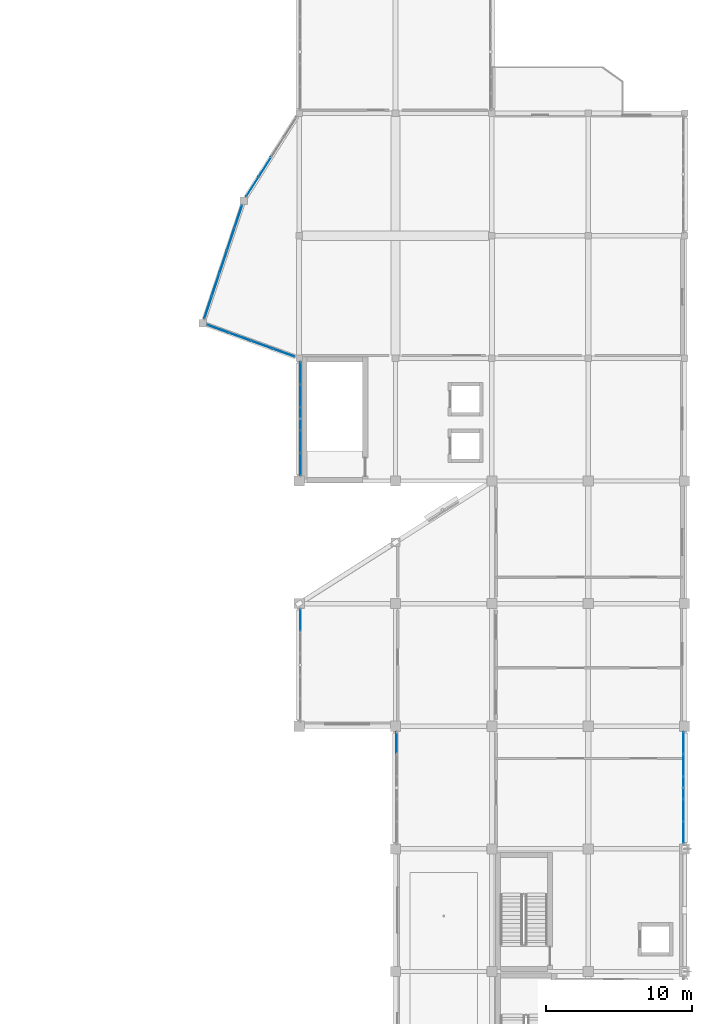
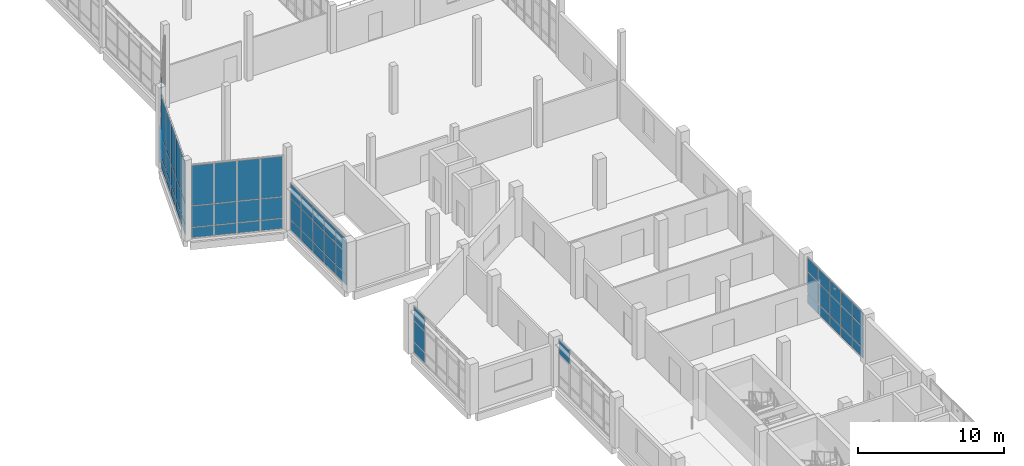
# One storey, part 51 of 78: 65 plates, 7 elements without a shape of their own.
"""IFC4 building model written with IfcOpenShell, lengths in metres."""

from ifc_helpers import new_model, si_unit, direction, frame, origin, origin_2d, place, context, subcontext, project, spatial, rectangle, extrude, material, layer, layer_set, type_object, element, aggregate, save


model = new_model("IFC4")

# Units and contexts
model_context = context("Model", 3, precision=1e-05, world=origin(), true_north=direction((0.0, 1.0)))
body_context = subcontext(model_context, "Body", "Model", "MODEL_VIEW")
ifc_project = project(units=[si_unit("LENGTHUNIT", "METRE"), si_unit("AREAUNIT", "SQUARE_METRE"), si_unit("VOLUMEUNIT", "CUBIC_METRE"), si_unit("PLANEANGLEUNIT", "RADIAN"), si_unit("MASSUNIT", "GRAM", prefix="KILO")], contexts=[model_context])

# Site, building, storey
site_placement = place(None, origin())
site = spatial("IfcSite", under=ifc_project, at=site_placement, CompositionType="ELEMENT")
building_placement = place(site_placement, origin())
building = spatial("IfcBuilding", under=site, at=building_placement, Name="Qaldarim Faculty of Natural and Applied Sciences", CompositionType="ELEMENT")
storey_placement = place(building_placement, frame((0.0, 0.0, 18.60009765625)))
storey = spatial("IfcBuildingStorey", under=building, at=storey_placement, Name="L04", CompositionType="ELEMENT", Elevation=18.60009765625)

# Curtain wall, plates
ifc_material_1 = material(Name="Anodised aluminium AW-6063", Category="aluminium")
curtain_wall_type_1 = type_object("IfcCurtainWallType", Name="CurtainWallSystem-M1700", PredefinedType="USERDEFINED", material=ifc_material_1)
curtain_wall_1_placement = place(storey_placement, origin())
curtain_wall_1 = element("IfcCurtainWall", 1, at=curtain_wall_1_placement, inside=storey, type_object=curtain_wall_type_1, Name="Curtain wall CW-L04-W-X24Y06", ObjectType="UNITISED FACADE", PredefinedType="USERDEFINED")
ifc_material_2 = material(Name="Insulated low-e double glazing", Category="glass")
ifc_layer_1 = layer(ifc_material_2, 0.031982421875)
ifc_layer_set_1 = layer_set([ifc_layer_1], Name="Insulated low-e double glazing")
plate_type_1 = type_object("IfcPlateType", Name="SolarControlGlazingPanel-32", PredefinedType="CURTAIN_PANEL", material=ifc_layer_set_1)
plate_1_placement = place(storey_placement, frame((151.8798828125, 49.2666015625, 0.06982421875), z_axis=(0.0, 0.0, 1.0), x_axis=(0.0, -1.0, 0.0)))
plate_1 = element("IfcPlate", 2, at=plate_1_placement, type_object=plate_type_1, Name="Glazed panel 1-1 of CW-L04-W-X24Y06", PredefinedType="CURTAIN_PANEL", context=body_context, shape_type="SweptSolid", body=[
    extrude(rectangle(XDim=1.43701171875, YDim=0.031982421875, at=origin_2d()), origin(), (0.0, 0.0, 1.0), 0.794921875),
])
plate_2_placement = place(storey_placement, frame((151.8798828125, 49.2666015625, 0.934814453125), z_axis=(0.0, 0.0, 1.0), x_axis=(0.0, -1.0, 0.0)))
plate_2 = element("IfcPlate", 3, at=plate_2_placement, type_object=plate_type_1, Name="Glazed panel 1-2 of CW-L04-W-X24Y06", PredefinedType="CURTAIN_PANEL", context=body_context, shape_type="SweptSolid", body=[
    extrude(rectangle(XDim=1.43701171875, YDim=0.031982421875, at=origin_2d()), origin(), (0.0, 0.0, 1.0), 1.72998046875),
])
plate_3_placement = place(storey_placement, frame((151.8798828125, 49.2666015625, 2.73486328125), z_axis=(0.0, 0.0, 1.0), x_axis=(0.0, -1.0, 0.0)))
plate_3 = element("IfcPlate", 4, at=plate_3_placement, type_object=plate_type_1, Name="Glazed panel 1-3 of CW-L04-W-X24Y06", PredefinedType="CURTAIN_PANEL", context=body_context, shape_type="SweptSolid", body=[
    extrude(rectangle(XDim=1.43701171875, YDim=0.031982421875, at=origin_2d()), origin(), (0.0, 0.0, 1.0), 1.135009765625),
])
aggregate(curtain_wall_1, [plate_1, plate_2, plate_3])

# Curtain wall, plate
curtain_wall_2_placement = place(storey_placement, origin())
curtain_wall_2 = element("IfcCurtainWall", 5, at=curtain_wall_2_placement, inside=storey, type_object=curtain_wall_type_1, Name="Curtain wall CW-L04-W-X25Y05", ObjectType="UNITISED FACADE", PredefinedType="USERDEFINED")
plate_4_placement = place(storey_placement, frame((158.47998046875, 40.866455078125, 2.73486328125), z_axis=(0.0, 0.0, 1.0), x_axis=(0.0, -1.0, 0.0)))
plate_4 = element("IfcPlate", 6, at=plate_4_placement, type_object=plate_type_1, Name="Glazed panel 1-3 of CW-L04-W-X25Y05", PredefinedType="CURTAIN_PANEL", context=body_context, shape_type="SweptSolid", body=[
    extrude(rectangle(XDim=1.43701171875, YDim=0.031982421875, at=origin_2d()), origin(), (0.0, 0.0, 1.0), 1.135009765625),
])
aggregate(curtain_wall_2, [plate_4])

# Curtain wall, plates
curtain_wall_3_placement = place(storey_placement, origin())
curtain_wall_3 = element("IfcCurtainWall", 7, at=curtain_wall_3_placement, inside=storey, type_object=curtain_wall_type_1, Name="Curtain wall CW-L04-E-X27Y05", ObjectType="UNITISED FACADE", PredefinedType="USERDEFINED")
plate_5_placement = place(storey_placement, frame((178.1201171875, 34.7333984375, 0.06982421875), z_axis=(0.0, 0.0, 1.0), x_axis=(0.0, 1.0, 0.0)))
plate_5 = element("IfcPlate", 8, at=plate_5_placement, type_object=plate_type_1, Name="Glazed panel 1-1 of CW-L04-E-X27Y05", PredefinedType="CURTAIN_PANEL", context=body_context, shape_type="SweptSolid", body=[
    extrude(rectangle(XDim=1.43701171875, YDim=0.031982421875, at=origin_2d()), origin(), (0.0, 0.0, 1.0), 0.794921875),
])
plate_6_placement = place(storey_placement, frame((178.1201171875, 34.7333984375, 0.934814453125), z_axis=(0.0, 0.0, 1.0), x_axis=(0.0, 1.0, 0.0)))
plate_6 = element("IfcPlate", 9, at=plate_6_placement, type_object=plate_type_1, Name="Glazed panel 1-2 of CW-L04-E-X27Y05", PredefinedType="CURTAIN_PANEL", context=body_context, shape_type="SweptSolid", body=[
    extrude(rectangle(XDim=1.43701171875, YDim=0.031982421875, at=origin_2d()), origin(), (0.0, 0.0, 1.0), 1.72998046875),
])
plate_7_placement = place(storey_placement, frame((178.1201171875, 34.7333984375, 2.73486328125), z_axis=(0.0, 0.0, 1.0), x_axis=(0.0, 1.0, 0.0)))
plate_7 = element("IfcPlate", 10, at=plate_7_placement, type_object=plate_type_1, Name="Glazed panel 1-3 of CW-L04-E-X27Y05", PredefinedType="CURTAIN_PANEL", context=body_context, shape_type="SweptSolid", body=[
    extrude(rectangle(XDim=1.43701171875, YDim=0.031982421875, at=origin_2d()), origin(), (0.0, 0.0, 1.0), 1.135009765625),
])
plate_8_placement = place(storey_placement, frame((178.1201171875, 36.258056640625, 0.06982421875), z_axis=(0.0, 0.0, 1.0), x_axis=(0.0, 1.0, 0.0)))
plate_8 = element("IfcPlate", 11, at=plate_8_placement, type_object=plate_type_1, Name="Glazed panel 2-1 of CW-L04-E-X27Y05", PredefinedType="CURTAIN_PANEL", context=body_context, shape_type="SweptSolid", body=[
    extrude(rectangle(XDim=1.471923828125, YDim=0.031982421875, at=origin_2d()), origin(), (0.0, 0.0, 1.0), 0.794921875),
])
plate_9_placement = place(storey_placement, frame((178.1201171875, 36.258056640625, 0.934814453125), z_axis=(0.0, 0.0, 1.0), x_axis=(0.0, 1.0, 0.0)))
plate_9 = element("IfcPlate", 12, at=plate_9_placement, type_object=plate_type_1, Name="Glazed panel 2-2 of CW-L04-E-X27Y05", PredefinedType="CURTAIN_PANEL", context=body_context, shape_type="SweptSolid", body=[
    extrude(rectangle(XDim=1.471923828125, YDim=0.031982421875, at=origin_2d()), origin(), (0.0, 0.0, 1.0), 1.72998046875),
])
plate_10_placement = place(storey_placement, frame((178.1201171875, 36.258056640625, 2.73486328125), z_axis=(0.0, 0.0, 1.0), x_axis=(0.0, 1.0, 0.0)))
plate_10 = element("IfcPlate", 13, at=plate_10_placement, type_object=plate_type_1, Name="Glazed panel 2-3 of CW-L04-E-X27Y05", PredefinedType="CURTAIN_PANEL", context=body_context, shape_type="SweptSolid", body=[
    extrude(rectangle(XDim=1.471923828125, YDim=0.031982421875, at=origin_2d()), origin(), (0.0, 0.0, 1.0), 1.135009765625),
])
plate_11_placement = place(storey_placement, frame((178.1201171875, 37.800048828125, 0.06982421875), z_axis=(0.0, 0.0, 1.0), x_axis=(0.0, 1.0, 0.0)))
plate_11 = element("IfcPlate", 14, at=plate_11_placement, type_object=plate_type_1, Name="Glazed panel 3-1 of CW-L04-E-X27Y05", PredefinedType="CURTAIN_PANEL", context=body_context, shape_type="SweptSolid", body=[
    extrude(rectangle(XDim=1.471923828125, YDim=0.031982421875, at=origin_2d()), origin(), (0.0, 0.0, 1.0), 0.794921875),
])
plate_12_placement = place(storey_placement, frame((178.1201171875, 37.800048828125, 0.934814453125), z_axis=(0.0, 0.0, 1.0), x_axis=(0.0, 1.0, 0.0)))
plate_12 = element("IfcPlate", 15, at=plate_12_placement, type_object=plate_type_1, Name="Glazed panel 3-2 of CW-L04-E-X27Y05", PredefinedType="CURTAIN_PANEL", context=body_context, shape_type="SweptSolid", body=[
    extrude(rectangle(XDim=1.471923828125, YDim=0.031982421875, at=origin_2d()), origin(), (0.0, 0.0, 1.0), 1.72998046875),
])
plate_13_placement = place(storey_placement, frame((178.1201171875, 37.800048828125, 2.73486328125), z_axis=(0.0, 0.0, 1.0), x_axis=(0.0, 1.0, 0.0)))
plate_13 = element("IfcPlate", 16, at=plate_13_placement, type_object=plate_type_1, Name="Glazed panel 3-3 of CW-L04-E-X27Y05", PredefinedType="CURTAIN_PANEL", context=body_context, shape_type="SweptSolid", body=[
    extrude(rectangle(XDim=1.471923828125, YDim=0.031982421875, at=origin_2d()), origin(), (0.0, 0.0, 1.0), 1.135009765625),
])
plate_14_placement = place(storey_placement, frame((178.1201171875, 39.342041015625, 0.06982421875), z_axis=(0.0, 0.0, 1.0), x_axis=(0.0, 1.0, 0.0)))
plate_14 = element("IfcPlate", 17, at=plate_14_placement, type_object=plate_type_1, Name="Glazed panel 4-1 of CW-L04-E-X27Y05", PredefinedType="CURTAIN_PANEL", context=body_context, shape_type="SweptSolid", body=[
    extrude(rectangle(XDim=1.471923828125, YDim=0.031982421875, at=origin_2d()), origin(), (0.0, 0.0, 1.0), 0.794921875),
])
plate_15_placement = place(storey_placement, frame((178.1201171875, 39.342041015625, 0.934814453125), z_axis=(0.0, 0.0, 1.0), x_axis=(0.0, 1.0, 0.0)))
plate_15 = element("IfcPlate", 18, at=plate_15_placement, type_object=plate_type_1, Name="Glazed panel 4-2 of CW-L04-E-X27Y05", PredefinedType="CURTAIN_PANEL", context=body_context, shape_type="SweptSolid", body=[
    extrude(rectangle(XDim=1.471923828125, YDim=0.031982421875, at=origin_2d()), origin(), (0.0, 0.0, 1.0), 1.72998046875),
])
plate_16_placement = place(storey_placement, frame((178.1201171875, 39.342041015625, 2.73486328125), z_axis=(0.0, 0.0, 1.0), x_axis=(0.0, 1.0, 0.0)))
plate_16 = element("IfcPlate", 19, at=plate_16_placement, type_object=plate_type_1, Name="Glazed panel 4-3 of CW-L04-E-X27Y05", PredefinedType="CURTAIN_PANEL", context=body_context, shape_type="SweptSolid", body=[
    extrude(rectangle(XDim=1.471923828125, YDim=0.031982421875, at=origin_2d()), origin(), (0.0, 0.0, 1.0), 1.135009765625),
])
plate_17_placement = place(storey_placement, frame((178.1201171875, 40.866455078125, 0.06982421875), z_axis=(0.0, 0.0, 1.0), x_axis=(0.0, 1.0, 0.0)))
plate_17 = element("IfcPlate", 20, at=plate_17_placement, type_object=plate_type_1, Name="Glazed panel 5-1 of CW-L04-E-X27Y05", PredefinedType="CURTAIN_PANEL", context=body_context, shape_type="SweptSolid", body=[
    extrude(rectangle(XDim=1.43701171875, YDim=0.031982421875, at=origin_2d()), origin(), (0.0, 0.0, 1.0), 0.794921875),
])
plate_18_placement = place(storey_placement, frame((178.1201171875, 40.866455078125, 0.934814453125), z_axis=(0.0, 0.0, 1.0), x_axis=(0.0, 1.0, 0.0)))
plate_18 = element("IfcPlate", 21, at=plate_18_placement, type_object=plate_type_1, Name="Glazed panel 5-2 of CW-L04-E-X27Y05", PredefinedType="CURTAIN_PANEL", context=body_context, shape_type="SweptSolid", body=[
    extrude(rectangle(XDim=1.43701171875, YDim=0.031982421875, at=origin_2d()), origin(), (0.0, 0.0, 1.0), 1.72998046875),
])
plate_19_placement = place(storey_placement, frame((178.1201171875, 40.866455078125, 2.73486328125), z_axis=(0.0, 0.0, 1.0), x_axis=(0.0, 1.0, 0.0)))
plate_19 = element("IfcPlate", 22, at=plate_19_placement, type_object=plate_type_1, Name="Glazed panel 5-3 of CW-L04-E-X27Y05", PredefinedType="CURTAIN_PANEL", context=body_context, shape_type="SweptSolid", body=[
    extrude(rectangle(XDim=1.43701171875, YDim=0.031982421875, at=origin_2d()), origin(), (0.0, 0.0, 1.0), 1.135009765625),
])
aggregate(curtain_wall_3, [plate_5, plate_6, plate_7, plate_8, plate_9, plate_10, plate_11, plate_12, plate_13, plate_14, plate_15, plate_16, plate_17, plate_18, plate_19])

curtain_wall_type_2 = type_object("IfcCurtainWallType", Name="CurtainWallSystem-M1600", PredefinedType="USERDEFINED", material=ifc_material_1)
curtain_wall_4_placement = place(storey_placement, origin())
curtain_wall_4 = element("IfcCurtainWall", 23, at=curtain_wall_4_placement, inside=storey, type_object=curtain_wall_type_2, Name="Curtain wall CW-L04-W-X24Y08", ObjectType="UNITISED FACADE", PredefinedType="USERDEFINED")
ifc_layer_2 = layer(ifc_material_2, 0.028076171875)
ifc_layer_set_2 = layer_set([ifc_layer_2], Name="Insulated low-e double glazing")
plate_type_2 = type_object("IfcPlateType", Name="VisionGlazingPanel-28", PredefinedType="CURTAIN_PANEL", material=ifc_layer_set_2)
plate_20_placement = place(storey_placement, frame((151.8798828125, 66.181396484375, 0.059814453125), z_axis=(0.0, 0.0, 1.0), x_axis=(0.0, -1.0, 0.0)))
plate_20 = element("IfcPlate", 24, at=plate_20_placement, type_object=plate_type_2, Name="Glazed panel 1-1 of CW-L04-W-X24Y08", PredefinedType="CURTAIN_PANEL", context=body_context, shape_type="SweptSolid", body=[
    extrude(rectangle(XDim=1.47705078125, YDim=0.028076171875, at=origin_2d()), origin(), (0.0, 0.0, 1.0), 0.81005859375),
])
plate_21_placement = place(storey_placement, frame((151.8798828125, 66.181396484375, 0.9296875), z_axis=(0.0, 0.0, 1.0), x_axis=(0.0, -1.0, 0.0)))
plate_21 = element("IfcPlate", 25, at=plate_21_placement, type_object=plate_type_2, Name="Glazed panel 1-2 of CW-L04-W-X24Y08", PredefinedType="CURTAIN_PANEL", context=body_context, shape_type="SweptSolid", body=[
    extrude(rectangle(XDim=1.47705078125, YDim=0.028076171875, at=origin_2d()), origin(), (0.0, 0.0, 1.0), 1.739990234375),
])
plate_22_placement = place(storey_placement, frame((151.8798828125, 66.181396484375, 2.72998046875), z_axis=(0.0, 0.0, 1.0), x_axis=(0.0, -1.0, 0.0)))
plate_22 = element("IfcPlate", 26, at=plate_22_placement, type_object=plate_type_2, Name="Glazed panel 1-3 of CW-L04-W-X24Y08", PredefinedType="CURTAIN_PANEL", context=body_context, shape_type="SweptSolid", body=[
    extrude(rectangle(XDim=1.47705078125, YDim=0.028076171875, at=origin_2d()), origin(), (0.0, 0.0, 1.0), 1.14990234375),
])
plate_23_placement = place(storey_placement, frame((151.8798828125, 64.62939453125, 0.059814453125), z_axis=(0.0, 0.0, 1.0), x_axis=(0.0, -1.0, 0.0)))
plate_23 = element("IfcPlate", 27, at=plate_23_placement, type_object=plate_type_2, Name="Glazed panel 2-1 of CW-L04-W-X24Y08", PredefinedType="CURTAIN_PANEL", context=body_context, shape_type="SweptSolid", body=[
    extrude(rectangle(XDim=1.507080078125, YDim=0.028076171875, at=origin_2d()), origin(), (0.0, 0.0, 1.0), 0.81005859375),
])
plate_24_placement = place(storey_placement, frame((151.8798828125, 64.62939453125, 0.9296875), z_axis=(0.0, 0.0, 1.0), x_axis=(0.0, -1.0, 0.0)))
plate_24 = element("IfcPlate", 28, at=plate_24_placement, type_object=plate_type_2, Name="Glazed panel 2-2 of CW-L04-W-X24Y08", PredefinedType="CURTAIN_PANEL", context=body_context, shape_type="SweptSolid", body=[
    extrude(rectangle(XDim=1.507080078125, YDim=0.028076171875, at=origin_2d()), origin(), (0.0, 0.0, 1.0), 1.739990234375),
])
plate_25_placement = place(storey_placement, frame((151.8798828125, 64.62939453125, 2.72998046875), z_axis=(0.0, 0.0, 1.0), x_axis=(0.0, -1.0, 0.0)))
plate_25 = element("IfcPlate", 29, at=plate_25_placement, type_object=plate_type_2, Name="Glazed panel 2-3 of CW-L04-W-X24Y08", PredefinedType="CURTAIN_PANEL", context=body_context, shape_type="SweptSolid", body=[
    extrude(rectangle(XDim=1.507080078125, YDim=0.028076171875, at=origin_2d()), origin(), (0.0, 0.0, 1.0), 1.14990234375),
])
plate_26_placement = place(storey_placement, frame((151.8798828125, 63.0625, 0.059814453125), z_axis=(0.0, 0.0, 1.0), x_axis=(0.0, -1.0, 0.0)))
plate_26 = element("IfcPlate", 30, at=plate_26_placement, type_object=plate_type_2, Name="Glazed panel 3-1 of CW-L04-W-X24Y08", PredefinedType="CURTAIN_PANEL", context=body_context, shape_type="SweptSolid", body=[
    extrude(rectangle(XDim=1.507080078125, YDim=0.028076171875, at=origin_2d()), origin(), (0.0, 0.0, 1.0), 0.81005859375),
])
plate_27_placement = place(storey_placement, frame((151.8798828125, 63.0625, 0.9296875), z_axis=(0.0, 0.0, 1.0), x_axis=(0.0, -1.0, 0.0)))
plate_27 = element("IfcPlate", 31, at=plate_27_placement, type_object=plate_type_2, Name="Glazed panel 3-2 of CW-L04-W-X24Y08", PredefinedType="CURTAIN_PANEL", context=body_context, shape_type="SweptSolid", body=[
    extrude(rectangle(XDim=1.507080078125, YDim=0.028076171875, at=origin_2d()), origin(), (0.0, 0.0, 1.0), 1.739990234375),
])
plate_28_placement = place(storey_placement, frame((151.8798828125, 63.0625, 2.72998046875), z_axis=(0.0, 0.0, 1.0), x_axis=(0.0, -1.0, 0.0)))
plate_28 = element("IfcPlate", 32, at=plate_28_placement, type_object=plate_type_2, Name="Glazed panel 3-3 of CW-L04-W-X24Y08", PredefinedType="CURTAIN_PANEL", context=body_context, shape_type="SweptSolid", body=[
    extrude(rectangle(XDim=1.507080078125, YDim=0.028076171875, at=origin_2d()), origin(), (0.0, 0.0, 1.0), 1.14990234375),
])
plate_29_placement = place(storey_placement, frame((151.8798828125, 61.49560546875, 0.059814453125), z_axis=(0.0, 0.0, 1.0), x_axis=(0.0, -1.0, 0.0)))
plate_29 = element("IfcPlate", 33, at=plate_29_placement, type_object=plate_type_2, Name="Glazed panel 4-1 of CW-L04-W-X24Y08", PredefinedType="CURTAIN_PANEL", context=body_context, shape_type="SweptSolid", body=[
    extrude(rectangle(XDim=1.507080078125, YDim=0.028076171875, at=origin_2d()), origin(), (0.0, 0.0, 1.0), 0.81005859375),
])
plate_30_placement = place(storey_placement, frame((151.8798828125, 61.49560546875, 0.9296875), z_axis=(0.0, 0.0, 1.0), x_axis=(0.0, -1.0, 0.0)))
plate_30 = element("IfcPlate", 34, at=plate_30_placement, type_object=plate_type_2, Name="Glazed panel 4-2 of CW-L04-W-X24Y08", PredefinedType="CURTAIN_PANEL", context=body_context, shape_type="SweptSolid", body=[
    extrude(rectangle(XDim=1.507080078125, YDim=0.028076171875, at=origin_2d()), origin(), (0.0, 0.0, 1.0), 1.739990234375),
])
plate_31_placement = place(storey_placement, frame((151.8798828125, 61.49560546875, 2.72998046875), z_axis=(0.0, 0.0, 1.0), x_axis=(0.0, -1.0, 0.0)))
plate_31 = element("IfcPlate", 35, at=plate_31_placement, type_object=plate_type_2, Name="Glazed panel 4-3 of CW-L04-W-X24Y08", PredefinedType="CURTAIN_PANEL", context=body_context, shape_type="SweptSolid", body=[
    extrude(rectangle(XDim=1.507080078125, YDim=0.028076171875, at=origin_2d()), origin(), (0.0, 0.0, 1.0), 1.14990234375),
])
plate_32_placement = place(storey_placement, frame((151.8798828125, 59.943603515625, 0.059814453125), z_axis=(0.0, 0.0, 1.0), x_axis=(0.0, -1.0, 0.0)))
plate_32 = element("IfcPlate", 36, at=plate_32_placement, type_object=plate_type_2, Name="Glazed panel 5-1 of CW-L04-W-X24Y08", PredefinedType="CURTAIN_PANEL", context=body_context, shape_type="SweptSolid", body=[
    extrude(rectangle(XDim=1.47705078125, YDim=0.028076171875, at=origin_2d()), origin(), (0.0, 0.0, 1.0), 0.81005859375),
])
plate_33_placement = place(storey_placement, frame((151.8798828125, 59.943603515625, 0.9296875), z_axis=(0.0, 0.0, 1.0), x_axis=(0.0, -1.0, 0.0)))
plate_33 = element("IfcPlate", 37, at=plate_33_placement, type_object=plate_type_2, Name="Glazed panel 5-2 of CW-L04-W-X24Y08", PredefinedType="CURTAIN_PANEL", context=body_context, shape_type="SweptSolid", body=[
    extrude(rectangle(XDim=1.47705078125, YDim=0.028076171875, at=origin_2d()), origin(), (0.0, 0.0, 1.0), 1.739990234375),
])
plate_34_placement = place(storey_placement, frame((151.8798828125, 59.943603515625, 2.72998046875), z_axis=(0.0, 0.0, 1.0), x_axis=(0.0, -1.0, 0.0)))
plate_34 = element("IfcPlate", 38, at=plate_34_placement, type_object=plate_type_2, Name="Glazed panel 5-3 of CW-L04-W-X24Y08", PredefinedType="CURTAIN_PANEL", context=body_context, shape_type="SweptSolid", body=[
    extrude(rectangle(XDim=1.47705078125, YDim=0.028076171875, at=origin_2d()), origin(), (0.0, 0.0, 1.0), 1.14990234375),
])
aggregate(curtain_wall_4, [plate_20, plate_21, plate_22, plate_23, plate_24, plate_25, plate_26, plate_27, plate_28, plate_29, plate_30, plate_31, plate_32, plate_33, plate_34])

curtain_wall_5_placement = place(storey_placement, origin())
curtain_wall_5 = element("IfcCurtainWall", 39, at=curtain_wall_5_placement, inside=storey, type_object=curtain_wall_type_2, Name="Curtain wall CW-PROW-L04-1", ObjectType="UNITISED FACADE", PredefinedType="USERDEFINED")
plate_35_placement = place(storey_placement, frame((149.465087890625, 80.313720703125, 0.059814453125), z_axis=(0.0, 0.0, 1.0), x_axis=(-0.535384632481, -0.844608368004, 0.0)))
plate_35 = element("IfcPlate", 40, at=plate_35_placement, type_object=plate_type_2, Name="Glazed panel 3-1 of CW-PROW-L04-1", PredefinedType="CURTAIN_PANEL", context=body_context, shape_type="SweptSolid", body=[
    extrude(rectangle(XDim=1.56494140625, YDim=0.028076171875, at=origin_2d()), origin(), (0.0, 0.0, 1.0), 0.81005859375),
])
plate_36_placement = place(storey_placement, frame((148.60302734375, 78.953857421875, 0.059814453125), z_axis=(0.0, 0.0, 1.0), x_axis=(-0.535384632481, -0.844608368004, 0.0)))
plate_36 = element("IfcPlate", 41, at=plate_36_placement, type_object=plate_type_2, Name="Glazed panel 4-1 of CW-PROW-L04-1", PredefinedType="CURTAIN_PANEL", context=body_context, shape_type="SweptSolid", body=[
    extrude(rectangle(XDim=1.534912109375, YDim=0.028076171875, at=origin_2d()), origin(), (0.0, 0.0, 1.0), 0.81005859375),
])
plate_37_placement = place(storey_placement, frame((148.60302734375, 78.953857421875, 0.9296875), z_axis=(0.0, 0.0, 1.0), x_axis=(-0.535384632481, -0.844608368004, 0.0)))
plate_37 = element("IfcPlate", 42, at=plate_37_placement, type_object=plate_type_2, Name="Glazed panel 4-2 of CW-PROW-L04-1", PredefinedType="CURTAIN_PANEL", context=body_context, shape_type="SweptSolid", body=[
    extrude(rectangle(XDim=1.534912109375, YDim=0.028076171875, at=origin_2d()), origin(), (0.0, 0.0, 1.0), 1.739990234375),
])
plate_38_placement = place(storey_placement, frame((148.60302734375, 78.953857421875, 2.729736328125), z_axis=(0.0, 0.0, 1.0), x_axis=(-0.535384632481, -0.844608368004, 0.0)))
plate_38 = element("IfcPlate", 43, at=plate_38_placement, type_object=plate_type_2, Name="Glazed panel 4-3 of CW-PROW-L04-1", PredefinedType="CURTAIN_PANEL", context=body_context, shape_type="SweptSolid", body=[
    extrude(rectangle(XDim=1.534912109375, YDim=0.028076171875, at=origin_2d()), origin(), (0.0, 0.0, 1.0), 3.35009765625),
])
aggregate(curtain_wall_5, [plate_35, plate_36, plate_37, plate_38])

curtain_wall_6_placement = place(storey_placement, origin())
curtain_wall_6 = element("IfcCurtainWall", 44, at=curtain_wall_6_placement, inside=storey, type_object=curtain_wall_type_2, Name="Curtain wall CW-PROW-L04-2", ObjectType="UNITISED FACADE", PredefinedType="USERDEFINED")
plate_39_placement = place(storey_placement, frame((147.639404296875, 76.917724609375, 0.059814453125), z_axis=(0.0, 0.0, 1.0), x_axis=(-0.316228613389, -0.948683015593, 0.0)))
plate_39 = element("IfcPlate", 45, at=plate_39_placement, type_object=plate_type_2, Name="Glazed panel 1-1 of CW-PROW-L04-2", PredefinedType="CURTAIN_PANEL", context=body_context, shape_type="SweptSolid", body=[
    extrude(rectangle(XDim=1.560791015625, YDim=0.028076171875, at=origin_2d()), origin(), (0.0, 0.0, 1.0), 0.81005859375),
])
plate_40_placement = place(storey_placement, frame((147.639404296875, 76.917724609375, 0.9296875), z_axis=(0.0, 0.0, 1.0), x_axis=(-0.316228613389, -0.948683015593, 0.0)))
plate_40 = element("IfcPlate", 46, at=plate_40_placement, type_object=plate_type_2, Name="Glazed panel 1-2 of CW-PROW-L04-2", PredefinedType="CURTAIN_PANEL", context=body_context, shape_type="SweptSolid", body=[
    extrude(rectangle(XDim=1.560791015625, YDim=0.028076171875, at=origin_2d()), origin(), (0.0, 0.0, 1.0), 1.739990234375),
])
plate_41_placement = place(storey_placement, frame((147.639404296875, 76.917724609375, 2.729736328125), z_axis=(0.0, 0.0, 1.0), x_axis=(-0.316228613389, -0.948683015593, 0.0)))
plate_41 = element("IfcPlate", 47, at=plate_41_placement, type_object=plate_type_2, Name="Glazed panel 1-3 of CW-PROW-L04-2", PredefinedType="CURTAIN_PANEL", context=body_context, shape_type="SweptSolid", body=[
    extrude(rectangle(XDim=1.560791015625, YDim=0.028076171875, at=origin_2d()), origin(), (0.0, 0.0, 1.0), 3.35009765625),
])
plate_42_placement = place(storey_placement, frame((147.1220703125, 75.365966796875, 0.059814453125), z_axis=(0.0, 0.0, 1.0), x_axis=(-0.316228613389, -0.948683015593, 0.0)))
plate_42 = element("IfcPlate", 48, at=plate_42_placement, type_object=plate_type_2, Name="Glazed panel 2-1 of CW-PROW-L04-2", PredefinedType="CURTAIN_PANEL", context=body_context, shape_type="SweptSolid", body=[
    extrude(rectangle(XDim=1.5908203125, YDim=0.028076171875, at=origin_2d()), origin(), (0.0, 0.0, 1.0), 0.81005859375),
])
plate_43_placement = place(storey_placement, frame((147.1220703125, 75.365966796875, 0.9296875), z_axis=(0.0, 0.0, 1.0), x_axis=(-0.316228613389, -0.948683015593, 0.0)))
plate_43 = element("IfcPlate", 49, at=plate_43_placement, type_object=plate_type_2, Name="Glazed panel 2-2 of CW-PROW-L04-2", PredefinedType="CURTAIN_PANEL", context=body_context, shape_type="SweptSolid", body=[
    extrude(rectangle(XDim=1.5908203125, YDim=0.028076171875, at=origin_2d()), origin(), (0.0, 0.0, 1.0), 1.739990234375),
])
plate_44_placement = place(storey_placement, frame((147.1220703125, 75.365966796875, 2.729736328125), z_axis=(0.0, 0.0, 1.0), x_axis=(-0.316228613389, -0.948683015593, 0.0)))
plate_44 = element("IfcPlate", 50, at=plate_44_placement, type_object=plate_type_2, Name="Glazed panel 2-3 of CW-PROW-L04-2", PredefinedType="CURTAIN_PANEL", context=body_context, shape_type="SweptSolid", body=[
    extrude(rectangle(XDim=1.5908203125, YDim=0.028076171875, at=origin_2d()), origin(), (0.0, 0.0, 1.0), 3.35009765625),
])
plate_45_placement = place(storey_placement, frame((146.60009765625, 73.800048828125, 0.059814453125), z_axis=(0.0, 0.0, 1.0), x_axis=(-0.316228613389, -0.948683015593, 0.0)))
plate_45 = element("IfcPlate", 51, at=plate_45_placement, type_object=plate_type_2, Name="Glazed panel 3-1 of CW-PROW-L04-2", PredefinedType="CURTAIN_PANEL", context=body_context, shape_type="SweptSolid", body=[
    extrude(rectangle(XDim=1.5908203125, YDim=0.028076171875, at=origin_2d()), origin(), (0.0, 0.0, 1.0), 0.81005859375),
])
plate_46_placement = place(storey_placement, frame((146.60009765625, 73.800048828125, 0.9296875), z_axis=(0.0, 0.0, 1.0), x_axis=(-0.316228613389, -0.948683015593, 0.0)))
plate_46 = element("IfcPlate", 52, at=plate_46_placement, type_object=plate_type_2, Name="Glazed panel 3-2 of CW-PROW-L04-2", PredefinedType="CURTAIN_PANEL", context=body_context, shape_type="SweptSolid", body=[
    extrude(rectangle(XDim=1.5908203125, YDim=0.028076171875, at=origin_2d()), origin(), (0.0, 0.0, 1.0), 1.739990234375),
])
plate_47_placement = place(storey_placement, frame((146.60009765625, 73.800048828125, 2.729736328125), z_axis=(0.0, 0.0, 1.0), x_axis=(-0.316228613389, -0.948683015593, 0.0)))
plate_47 = element("IfcPlate", 53, at=plate_47_placement, type_object=plate_type_2, Name="Glazed panel 3-3 of CW-PROW-L04-2", PredefinedType="CURTAIN_PANEL", context=body_context, shape_type="SweptSolid", body=[
    extrude(rectangle(XDim=1.5908203125, YDim=0.028076171875, at=origin_2d()), origin(), (0.0, 0.0, 1.0), 3.35009765625),
])
plate_48_placement = place(storey_placement, frame((146.077880859375, 72.23388671875, 0.059814453125), z_axis=(0.0, 0.0, 1.0), x_axis=(-0.316228613389, -0.948683015593, 0.0)))
plate_48 = element("IfcPlate", 54, at=plate_48_placement, type_object=plate_type_2, Name="Glazed panel 4-1 of CW-PROW-L04-2", PredefinedType="CURTAIN_PANEL", context=body_context, shape_type="SweptSolid", body=[
    extrude(rectangle(XDim=1.5908203125, YDim=0.028076171875, at=origin_2d()), origin(), (0.0, 0.0, 1.0), 0.81005859375),
])
plate_49_placement = place(storey_placement, frame((146.077880859375, 72.23388671875, 0.9296875), z_axis=(0.0, 0.0, 1.0), x_axis=(-0.316228613389, -0.948683015593, 0.0)))
plate_49 = element("IfcPlate", 55, at=plate_49_placement, type_object=plate_type_2, Name="Glazed panel 4-2 of CW-PROW-L04-2", PredefinedType="CURTAIN_PANEL", context=body_context, shape_type="SweptSolid", body=[
    extrude(rectangle(XDim=1.5908203125, YDim=0.028076171875, at=origin_2d()), origin(), (0.0, 0.0, 1.0), 1.739990234375),
])
plate_50_placement = place(storey_placement, frame((146.077880859375, 72.23388671875, 2.729736328125), z_axis=(0.0, 0.0, 1.0), x_axis=(-0.316228613389, -0.948683015593, 0.0)))
plate_50 = element("IfcPlate", 56, at=plate_50_placement, type_object=plate_type_2, Name="Glazed panel 4-3 of CW-PROW-L04-2", PredefinedType="CURTAIN_PANEL", context=body_context, shape_type="SweptSolid", body=[
    extrude(rectangle(XDim=1.5908203125, YDim=0.028076171875, at=origin_2d()), origin(), (0.0, 0.0, 1.0), 3.35009765625),
])
plate_51_placement = place(storey_placement, frame((145.560791015625, 70.68212890625, 0.059814453125), z_axis=(0.0, 0.0, 1.0), x_axis=(-0.316228613389, -0.948683015593, 0.0)))
plate_51 = element("IfcPlate", 57, at=plate_51_placement, type_object=plate_type_2, Name="Glazed panel 5-1 of CW-PROW-L04-2", PredefinedType="CURTAIN_PANEL", context=body_context, shape_type="SweptSolid", body=[
    extrude(rectangle(XDim=1.560791015625, YDim=0.028076171875, at=origin_2d()), origin(), (0.0, 0.0, 1.0), 0.81005859375),
])
plate_52_placement = place(storey_placement, frame((145.560791015625, 70.68212890625, 0.9296875), z_axis=(0.0, 0.0, 1.0), x_axis=(-0.316228613389, -0.948683015593, 0.0)))
plate_52 = element("IfcPlate", 58, at=plate_52_placement, type_object=plate_type_2, Name="Glazed panel 5-2 of CW-PROW-L04-2", PredefinedType="CURTAIN_PANEL", context=body_context, shape_type="SweptSolid", body=[
    extrude(rectangle(XDim=1.560791015625, YDim=0.028076171875, at=origin_2d()), origin(), (0.0, 0.0, 1.0), 1.739990234375),
])
plate_53_placement = place(storey_placement, frame((145.560791015625, 70.68212890625, 2.729736328125), z_axis=(0.0, 0.0, 1.0), x_axis=(-0.316228613389, -0.948683015593, 0.0)))
plate_53 = element("IfcPlate", 59, at=plate_53_placement, type_object=plate_type_2, Name="Glazed panel 5-3 of CW-PROW-L04-2", PredefinedType="CURTAIN_PANEL", context=body_context, shape_type="SweptSolid", body=[
    extrude(rectangle(XDim=1.560791015625, YDim=0.028076171875, at=origin_2d()), origin(), (0.0, 0.0, 1.0), 3.35009765625),
])
aggregate(curtain_wall_6, [plate_39, plate_40, plate_41, plate_42, plate_43, plate_44, plate_45, plate_46, plate_47, plate_48, plate_49, plate_50, plate_51, plate_52, plate_53])

curtain_wall_7_placement = place(storey_placement, origin())
curtain_wall_7 = element("IfcCurtainWall", 60, at=curtain_wall_7_placement, inside=storey, type_object=curtain_wall_type_2, Name="Curtain wall CW-PROW-L04-3", ObjectType="UNITISED FACADE", PredefinedType="USERDEFINED")
plate_54_placement = place(storey_placement, frame((146.2490234375, 69.216064453125, 0.059814453125), z_axis=(0.0, 0.0, 1.0), x_axis=(0.94010977581, -0.340871837244, 0.0)))
plate_54 = element("IfcPlate", 61, at=plate_54_placement, type_object=plate_type_2, Name="Glazed panel 1-1 of CW-PROW-L04-3", PredefinedType="CURTAIN_PANEL", context=body_context, shape_type="SweptSolid", body=[
    extrude(rectangle(XDim=1.51611328125, YDim=0.028076171875, at=origin_2d()), origin(), (0.0, 0.0, 1.0), 0.81005859375),
])
plate_55_placement = place(storey_placement, frame((146.2490234375, 69.216064453125, 0.9296875), z_axis=(0.0, 0.0, 1.0), x_axis=(0.94010977581, -0.340871837244, 0.0)))
plate_55 = element("IfcPlate", 62, at=plate_55_placement, type_object=plate_type_2, Name="Glazed panel 1-2 of CW-PROW-L04-3", PredefinedType="CURTAIN_PANEL", context=body_context, shape_type="SweptSolid", body=[
    extrude(rectangle(XDim=1.51611328125, YDim=0.028076171875, at=origin_2d()), origin(), (0.0, 0.0, 1.0), 1.739990234375),
])
plate_56_placement = place(storey_placement, frame((146.2490234375, 69.216064453125, 2.729736328125), z_axis=(0.0, 0.0, 1.0), x_axis=(0.94010977581, -0.340871837244, 0.0)))
plate_56 = element("IfcPlate", 63, at=plate_56_placement, type_object=plate_type_2, Name="Glazed panel 1-3 of CW-PROW-L04-3", PredefinedType="CURTAIN_PANEL", context=body_context, shape_type="SweptSolid", body=[
    extrude(rectangle(XDim=1.51611328125, YDim=0.028076171875, at=origin_2d()), origin(), (0.0, 0.0, 1.0), 3.35009765625),
])
plate_57_placement = place(storey_placement, frame((147.7451171875, 68.673583984375, 0.059814453125), z_axis=(0.0, 0.0, 1.0), x_axis=(0.94010977581, -0.340871837244, 0.0)))
plate_57 = element("IfcPlate", 64, at=plate_57_placement, type_object=plate_type_2, Name="Glazed panel 2-1 of CW-PROW-L04-3", PredefinedType="CURTAIN_PANEL", context=body_context, shape_type="SweptSolid", body=[
    extrude(rectangle(XDim=1.546142578125, YDim=0.028076171875, at=origin_2d()), origin(), (0.0, 0.0, 1.0), 0.81005859375),
])
plate_58_placement = place(storey_placement, frame((147.7451171875, 68.673583984375, 0.9296875), z_axis=(0.0, 0.0, 1.0), x_axis=(0.94010977581, -0.340871837244, 0.0)))
plate_58 = element("IfcPlate", 65, at=plate_58_placement, type_object=plate_type_2, Name="Glazed panel 2-2 of CW-PROW-L04-3", PredefinedType="CURTAIN_PANEL", context=body_context, shape_type="SweptSolid", body=[
    extrude(rectangle(XDim=1.546142578125, YDim=0.028076171875, at=origin_2d()), origin(), (0.0, 0.0, 1.0), 1.739990234375),
])
plate_59_placement = place(storey_placement, frame((147.7451171875, 68.673583984375, 2.729736328125), z_axis=(0.0, 0.0, 1.0), x_axis=(0.94010977581, -0.340871837244, 0.0)))
plate_59 = element("IfcPlate", 66, at=plate_59_placement, type_object=plate_type_2, Name="Glazed panel 2-3 of CW-PROW-L04-3", PredefinedType="CURTAIN_PANEL", context=body_context, shape_type="SweptSolid", body=[
    extrude(rectangle(XDim=1.546142578125, YDim=0.028076171875, at=origin_2d()), origin(), (0.0, 0.0, 1.0), 3.35009765625),
])
plate_60_placement = place(storey_placement, frame((149.2548828125, 68.126220703125, 0.059814453125), z_axis=(0.0, 0.0, 1.0), x_axis=(0.94010977581, -0.340871837244, 0.0)))
plate_60 = element("IfcPlate", 67, at=plate_60_placement, type_object=plate_type_2, Name="Glazed panel 3-1 of CW-PROW-L04-3", PredefinedType="CURTAIN_PANEL", context=body_context, shape_type="SweptSolid", body=[
    extrude(rectangle(XDim=1.546142578125, YDim=0.028076171875, at=origin_2d()), origin(), (0.0, 0.0, 1.0), 0.81005859375),
])
plate_61_placement = place(storey_placement, frame((149.2548828125, 68.126220703125, 0.9296875), z_axis=(0.0, 0.0, 1.0), x_axis=(0.94010977581, -0.340871837244, 0.0)))
plate_61 = element("IfcPlate", 68, at=plate_61_placement, type_object=plate_type_2, Name="Glazed panel 3-2 of CW-PROW-L04-3", PredefinedType="CURTAIN_PANEL", context=body_context, shape_type="SweptSolid", body=[
    extrude(rectangle(XDim=1.546142578125, YDim=0.028076171875, at=origin_2d()), origin(), (0.0, 0.0, 1.0), 1.739990234375),
])
plate_62_placement = place(storey_placement, frame((149.2548828125, 68.126220703125, 2.729736328125), z_axis=(0.0, 0.0, 1.0), x_axis=(0.94010977581, -0.340871837244, 0.0)))
plate_62 = element("IfcPlate", 69, at=plate_62_placement, type_object=plate_type_2, Name="Glazed panel 3-3 of CW-PROW-L04-3", PredefinedType="CURTAIN_PANEL", context=body_context, shape_type="SweptSolid", body=[
    extrude(rectangle(XDim=1.546142578125, YDim=0.028076171875, at=origin_2d()), origin(), (0.0, 0.0, 1.0), 3.35009765625),
])
plate_63_placement = place(storey_placement, frame((150.7509765625, 67.583984375, 0.059814453125), z_axis=(0.0, 0.0, 1.0), x_axis=(0.94010977581, -0.340871837244, 0.0)))
plate_63 = element("IfcPlate", 70, at=plate_63_placement, type_object=plate_type_2, Name="Glazed panel 4-1 of CW-PROW-L04-3", PredefinedType="CURTAIN_PANEL", context=body_context, shape_type="SweptSolid", body=[
    extrude(rectangle(XDim=1.51611328125, YDim=0.028076171875, at=origin_2d()), origin(), (0.0, 0.0, 1.0), 0.81005859375),
])
plate_64_placement = place(storey_placement, frame((150.7509765625, 67.583984375, 0.9296875), z_axis=(0.0, 0.0, 1.0), x_axis=(0.94010977581, -0.340871837244, 0.0)))
plate_64 = element("IfcPlate", 71, at=plate_64_placement, type_object=plate_type_2, Name="Glazed panel 4-2 of CW-PROW-L04-3", PredefinedType="CURTAIN_PANEL", context=body_context, shape_type="SweptSolid", body=[
    extrude(rectangle(XDim=1.51611328125, YDim=0.028076171875, at=origin_2d()), origin(), (0.0, 0.0, 1.0), 1.739990234375),
])
plate_65_placement = place(storey_placement, frame((150.7509765625, 67.583984375, 2.729736328125), z_axis=(0.0, 0.0, 1.0), x_axis=(0.94010977581, -0.340871837244, 0.0)))
plate_65 = element("IfcPlate", 72, at=plate_65_placement, type_object=plate_type_2, Name="Glazed panel 4-3 of CW-PROW-L04-3", PredefinedType="CURTAIN_PANEL", context=body_context, shape_type="SweptSolid", body=[
    extrude(rectangle(XDim=1.51611328125, YDim=0.028076171875, at=origin_2d()), origin(), (0.0, 0.0, 1.0), 3.35009765625),
])
aggregate(curtain_wall_7, [plate_54, plate_55, plate_56, plate_57, plate_58, plate_59, plate_60, plate_61, plate_62, plate_63, plate_64, plate_65])

save(model, "model.ifc")
